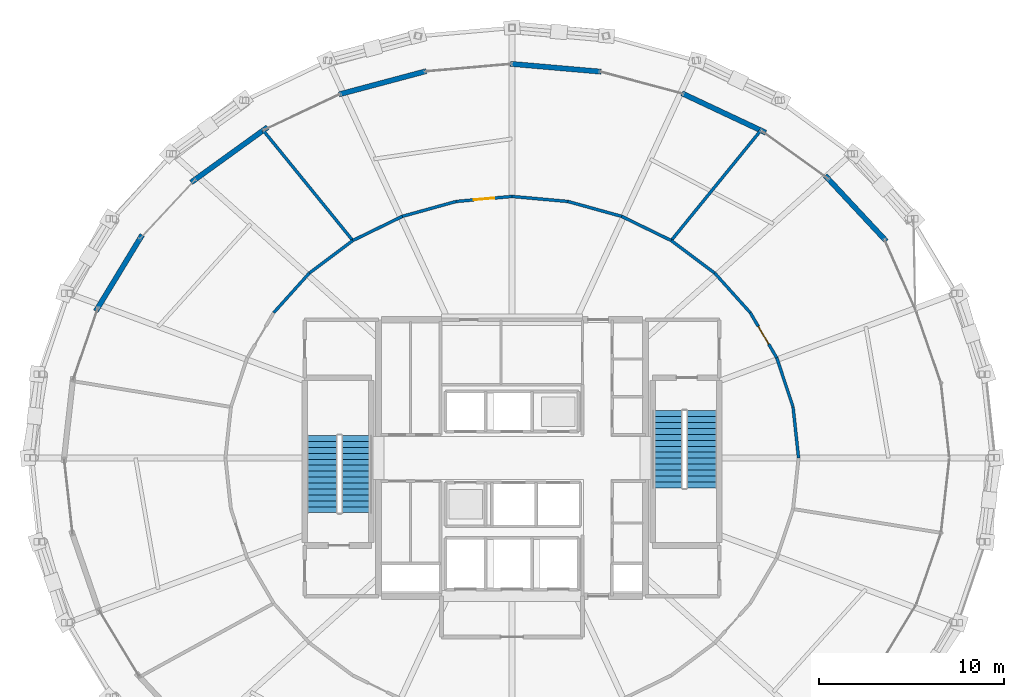
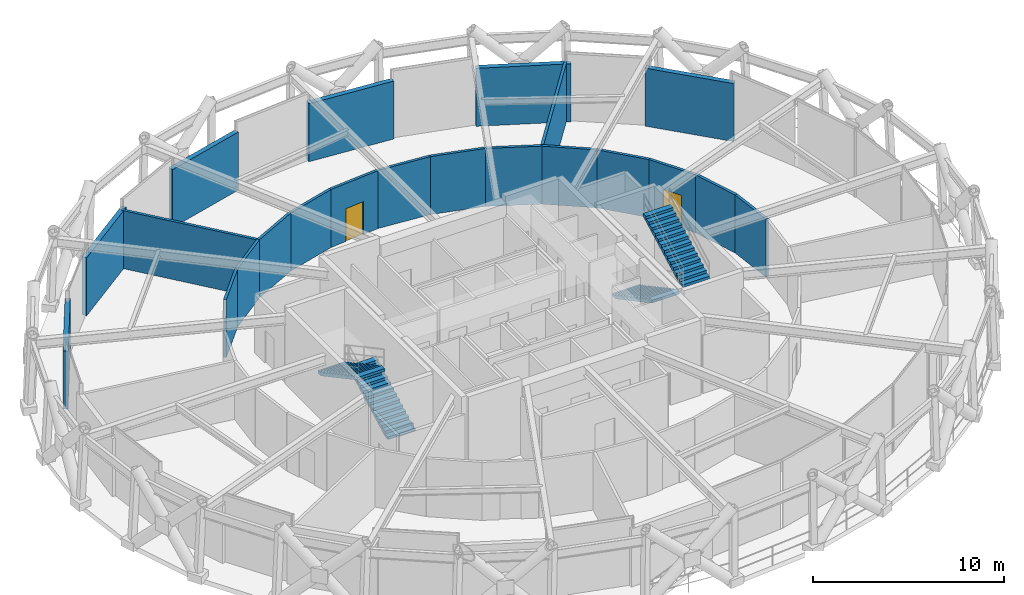
# One storey, part 27 of 29: 21 walls, 4 stair flights, 2 doors, 2 openings, 2 elements without a shape of their own.
"""IFC4 building model written with IfcOpenShell, lengths in metres."""

from ifc_helpers import new_model, si_unit, direction, frame, frame_2d, origin, place, context, subcontext, project, spatial, polyline, rectangle, outline, extrude, material, layer, layer_set, type_object, element, fill, aggregate, save


model = new_model("IFC4")

# Units and contexts
model_context = context("Model", 3, precision=1e-05, world=origin(), true_north=direction((0.0, 1.0)))
body_context = subcontext(model_context, "Body", "Model", "MODEL_VIEW")
ifc_project = project(units=[si_unit("LENGTHUNIT", "METRE"), si_unit("AREAUNIT", "SQUARE_METRE"), si_unit("VOLUMEUNIT", "CUBIC_METRE"), si_unit("PLANEANGLEUNIT", "RADIAN"), si_unit("MASSUNIT", "GRAM", prefix="KILO")], contexts=[model_context])

# Site, building, storey
site_placement = place(None, origin())
site = spatial("IfcSite", under=ifc_project, at=site_placement, CompositionType="ELEMENT")
building_placement = place(site_placement, origin())
building = spatial("IfcBuilding", under=site, at=building_placement, Name="Veldorina Hangang Commons", CompositionType="ELEMENT")
storey_placement = place(building_placement, frame((0.0, 0.0, 203.60009765625)))
storey = spatial("IfcBuildingStorey", under=building, at=storey_placement, Name="L53", CompositionType="ELEMENT", Elevation=203.60009765625)

# Walls
ifc_material_1 = material(Name="Stone Roman Travertine", Category="masonry")
ifc_layer_1 = layer(ifc_material_1, 0.280029296875)
ifc_layer_set_1 = layer_set([ifc_layer_1], Name="Stone Roman Travertine")
wall_type_1 = type_object("IfcWallType", Name="EW-TRAV-280", PredefinedType="STANDARD", material=ifc_layer_set_1)
wall_1_placement = place(storey_placement, frame((52.18603515625, 35.684814453125, 0.0), z_axis=(0.0, 0.0, 1.0), x_axis=(-0.682124199055, 0.731236334617, 0.0)))
element("IfcWall", 1, at=wall_1_placement, inside=storey, type_object=wall_type_1, Name="L53 travertine facade wall 03", PredefinedType="STANDARD", context=body_context, shape_type="SweptSolid", body=[
    extrude(rectangle(XDim=4.841796875, YDim=0.280029296875, at=frame_2d((2.4208984375, 0.0))), origin(), (0.0, 0.0, 1.0), 3.7099609375),
])
wall_2_placement = place(storey_placement, frame((45.68017578125, 41.5380859375, 0.0), z_axis=(0.0, 0.0, 1.0), x_axis=(-0.904923833453, 0.425573560796, 0.0)))
element("IfcWall", 2, at=wall_2_placement, inside=storey, type_object=wall_type_1, Name="L53 travertine facade wall 05", PredefinedType="STANDARD", context=body_context, shape_type="SweptSolid", body=[
    extrude(rectangle(XDim=4.99853515625, YDim=0.280029296875, at=frame_2d((2.499267578125, 0.0))), origin(), (0.0, 0.0, 1.0), 3.7099609375),
])
wall_3_placement = place(storey_placement, frame((36.802490234375, 44.826904296875, 0.0), z_axis=(0.0, 0.0, 1.0), x_axis=(-0.996267207451, 0.086322948039, 0.0)))
element("IfcWall", 3, at=wall_3_placement, inside=storey, type_object=wall_type_1, Name="L53 travertine facade wall 07", PredefinedType="STANDARD", context=body_context, shape_type="SweptSolid", body=[
    extrude(rectangle(XDim=4.91259765625, YDim=0.280029296875, at=frame_2d((2.456298828125, 0.0))), origin(), (0.0, 0.0, 1.0), 3.7099609375),
])
wall_4_placement = place(storey_placement, frame((27.378173828125, 44.8583984375, 0.0), z_axis=(0.0, 0.0, 1.0), x_axis=(-0.966192508796, -0.257821713488, 0.0)))
element("IfcWall", 4, at=wall_4_placement, inside=storey, type_object=wall_type_1, Name="L53 travertine facade wall 09", PredefinedType="STANDARD", context=body_context, shape_type="SweptSolid", body=[
    extrude(rectangle(XDim=4.8720703125, YDim=0.280029296875, at=frame_2d((2.43603515625, 0.0))), origin(), (0.0, 0.0, 1.0), 3.7099609375),
])
wall_5_placement = place(storey_placement, frame((18.82275390625, 41.83447265625, 0.0), z_axis=(0.0, 0.0, 1.0), x_axis=(-0.810767835241, -0.585367847886, 0.0)))
element("IfcWall", 5, at=wall_5_placement, inside=storey, type_object=wall_type_1, Name="L53 travertine facade wall 11", PredefinedType="STANDARD", context=body_context, shape_type="SweptSolid", body=[
    extrude(rectangle(XDim=5.08544921875, YDim=0.280029296875, at=frame_2d((2.542724609375, 0.0))), origin(), (0.0, 0.0, 1.0), 3.7099609375),
])
wall_6_placement = place(storey_placement, frame((12.061279296875, 36.02880859375, 0.0), z_axis=(0.0, 0.0, 1.0), x_axis=(-0.519273052392, -0.854608388129, 0.0)))
element("IfcWall", 6, at=wall_6_placement, inside=storey, type_object=wall_type_1, Name="L53 travertine facade wall 13", PredefinedType="STANDARD", context=body_context, shape_type="SweptSolid", body=[
    extrude(rectangle(XDim=4.81689453125, YDim=0.280029296875, at=frame_2d((2.408447265625, 0.0))), origin(), (0.0, 0.0, 1.0), 3.7099609375),
])
ifc_material_2 = material(Name="Gypsum Fire-Rated Twin Stud Wall", Category="gypsum")
ifc_layer_2 = layer(ifc_material_2, 0.159912109375)
ifc_layer_set_2 = layer_set([ifc_layer_2], Name="Gypsum Fire-Rated Twin Stud Wall")
wall_type_2 = type_object("IfcWallType", Name="WL-FIRE-160", PredefinedType="SOLIDWALL", material=ifc_layer_set_2)
wall_7_placement = place(storey_placement, frame((47.449951171875, 24.0, 0.0), z_axis=(0.0, 0.0, 1.0), x_axis=(-0.107302680622, 0.994226400138, 0.0)))
element("IfcWall", 7, at=wall_7_placement, inside=storey, type_object=wall_type_2, Name="L53 Sky gallery wall 00 053", PredefinedType="SOLIDWALL", context=body_context, shape_type="SweptSolid", body=[
    extrude(rectangle(XDim=2.7666015625, YDim=0.159912109375, at=frame_2d((1.38330078125, 0.0))), origin(), (0.0, 0.0, 1.0), 3.7099609375),
])
wall_8_placement = place(storey_placement, frame((47.153076171875, 26.750732421875, 0.0), z_axis=(0.0, 0.0, 1.0), x_axis=(-0.315413058649, 0.948954478589, 0.0)))
element("IfcWall", 8, at=wall_8_placement, inside=storey, type_object=wall_type_2, Name="L53 Sky gallery wall 01 054", PredefinedType="SOLIDWALL", context=body_context, shape_type="SweptSolid", body=[
    extrude(rectangle(XDim=2.787353515625, YDim=0.159912109375, at=frame_2d((1.3935546875, 0.0))), origin(), (0.0, 0.0, 1.0), 3.7099609375),
])

# Wall, opening, door
wall_9_placement = place(storey_placement, frame((46.27392578125, 29.395751953125, 0.0), z_axis=(0.0, 0.0, 1.0), x_axis=(-0.505380130961, 0.862896820732, 0.0)))
wall_9 = element("IfcWall", 9, at=wall_9_placement, inside=storey, type_object=wall_type_2, Name="L53 Sky gallery wall 02 055", PredefinedType="SOLIDWALL", context=body_context, shape_type="SweptSolid", body=[
    extrude(rectangle(XDim=2.824951171875, YDim=0.159912109375, at=frame_2d((1.41259765625, 0.0))), origin(), (0.0, 0.0, 1.0), 3.7099609375),
])
opening_1_placement = place(wall_9_placement, frame((0.862548828125, 0.0, 0.0)))
opening_1 = element("IfcOpeningElement", 10, at=opening_1_placement, cuts=wall_9, Name="Opening D-08", PredefinedType="OPENING", context=body_context, shape_type="SweptSolid", body=[
    extrude(rectangle(XDim=1.10009765625, YDim=2.10009765625, at=frame_2d((0.550048828125, 1.050048828125))), frame((0.0, 0.08984375, 0.0), z_axis=(0.0, -1.0, 0.0), x_axis=(1.0, 0.0, 0.0)), (0.0, 0.0, 1.0), 0.179931640625),
])
ifc_material_3 = material(Name="Steel Fire-Rated Smoke Seal", Category="steel")
door_type = type_object("IfcDoorType", Name="DR-FIRE-1100", OperationType="SINGLE_SWING_RIGHT", PredefinedType="DOOR", material=ifc_material_3)
door_1_placement = place(opening_1_placement, origin())
door_1 = element("IfcDoor", 11, at=door_1_placement, inside=storey, type_object=door_type, Name="L53 Sky Conservatory Dining Lounge entrance door 027", OperationType="SINGLE_SWING_LEFT", OverallHeight=2.10009765625, OverallWidth=1.10009765625, PredefinedType="DOOR", context=body_context, shape_type="SweptSolid", body=[
    extrude(rectangle(XDim=1.10009765625, YDim=2.10009765625, at=frame_2d((0.550048828125, 1.050048828125))), frame((0.0, 0.02490234375, 0.0), z_axis=(0.0, -1.0, 0.0), x_axis=(1.0, 0.0, 0.0)), (0.0, 0.0, 1.0), 0.050048828125),
])
fill(opening_1, door_1)

# Walls
wall_10_placement = place(storey_placement, frame((44.84619140625, 31.83349609375, 0.0), z_axis=(0.0, 0.0, 1.0), x_axis=(-0.668645478294, 0.743581350194, 0.0)))
element("IfcWall", 12, at=wall_10_placement, inside=storey, type_object=wall_type_2, Name="L53 Sky gallery wall 03 056", PredefinedType="SOLIDWALL", context=body_context, shape_type="SweptSolid", body=[
    extrude(rectangle(XDim=2.87353515625, YDim=0.159912109375, at=frame_2d((1.436767578125, 0.0))), origin(), (0.0, 0.0, 1.0), 3.7099609375),
])
wall_11_placement = place(storey_placement, frame((42.9248046875, 33.97021484375, 0.0), z_axis=(0.0, 0.0, 1.0), x_axis=(-0.800420462314, 0.599438973966, 0.0)))
element("IfcWall", 13, at=wall_11_placement, inside=storey, type_object=wall_type_2, Name="L53 Sky gallery wall 04 057", PredefinedType="SOLIDWALL", context=body_context, shape_type="SweptSolid", body=[
    extrude(rectangle(XDim=2.925048828125, YDim=0.159912109375, at=frame_2d((1.46240234375, 0.0))), origin(), (0.0, 0.0, 1.0), 3.7099609375),
])
wall_12_placement = place(storey_placement, frame((40.58349609375, 35.7236328125, 0.0), z_axis=(0.0, 0.0, 1.0), x_axis=(-0.898755022802, 0.438451147778, 0.0)))
element("IfcWall", 14, at=wall_12_placement, inside=storey, type_object=wall_type_2, Name="L53 Sky gallery wall 05 058", PredefinedType="SOLIDWALL", context=body_context, shape_type="SweptSolid", body=[
    extrude(rectangle(XDim=2.9716796875, YDim=0.159912109375, at=frame_2d((1.48583984375, 0.0))), origin(), (0.0, 0.0, 1.0), 3.7099609375),
])
wall_13_placement = place(storey_placement, frame((37.91259765625, 37.026611328125, 0.0), z_axis=(0.0, 0.0, 1.0), x_axis=(-0.963743190464, 0.26683152519, 0.0)))
element("IfcWall", 15, at=wall_13_placement, inside=storey, type_object=wall_type_2, Name="L53 Sky gallery wall 06 059", PredefinedType="SOLIDWALL", context=body_context, shape_type="SweptSolid", body=[
    extrude(rectangle(XDim=3.007568359375, YDim=0.159912109375, at=frame_2d((1.50390625, 0.0))), origin(), (0.0, 0.0, 1.0), 3.7099609375),
])
wall_14_placement = place(storey_placement, frame((35.01416015625, 37.8291015625, 0.0), z_axis=(0.0, 0.0, 1.0), x_axis=(-0.995982645158, 0.089546471418, 0.0)))
element("IfcWall", 16, at=wall_14_placement, inside=storey, type_object=wall_type_2, Name="L53 Sky gallery wall 07 060", PredefinedType="SOLIDWALL", context=body_context, shape_type="SweptSolid", body=[
    extrude(rectangle(XDim=3.0263671875, YDim=0.159912109375, at=frame_2d((1.51318359375, 0.0))), origin(), (0.0, 0.0, 1.0), 3.7099609375),
])

# Wall, opening, door
wall_15_placement = place(storey_placement, frame((32.0, 38.10009765625, 0.0), z_axis=(0.0, 0.0, 1.0), x_axis=(-0.995982645158, -0.089546471418, 0.0)))
wall_15 = element("IfcWall", 17, at=wall_15_placement, inside=storey, type_object=wall_type_2, Name="L53 Sky gallery wall 08 061", PredefinedType="SOLIDWALL", context=body_context, shape_type="SweptSolid", body=[
    extrude(rectangle(XDim=3.0263671875, YDim=0.159912109375, at=frame_2d((1.51318359375, 0.0))), origin(), (0.0, 0.0, 1.0), 3.7099609375),
])
opening_2_placement = place(wall_15_placement, frame((0.963134765625, 0.0, 0.0)))
opening_2 = element("IfcOpeningElement", 18, at=opening_2_placement, cuts=wall_15, Name="Opening D-08", PredefinedType="OPENING", context=body_context, shape_type="SweptSolid", body=[
    extrude(rectangle(XDim=1.10009765625, YDim=2.10009765625, at=frame_2d((0.550048828125, 1.050048828125))), frame((0.0, 0.08984375, 0.0), z_axis=(0.0, -1.0, 0.0), x_axis=(1.0, 0.0, 0.0)), (0.0, 0.0, 1.0), 0.179931640625),
])
door_2_placement = place(opening_2_placement, origin())
door_2 = element("IfcDoor", 19, at=door_2_placement, inside=storey, type_object=door_type, Name="L53 Quiet Academic Study Hall entrance door 028", OperationType="SINGLE_SWING_RIGHT", OverallHeight=2.10009765625, OverallWidth=1.10009765625, PredefinedType="DOOR", context=body_context, shape_type="SweptSolid", body=[
    extrude(rectangle(XDim=1.10009765625, YDim=2.10009765625, at=frame_2d((0.550048828125, 1.050048828125))), frame((0.0, 0.02490234375, 0.0), z_axis=(0.0, -1.0, 0.0), x_axis=(1.0, 0.0, 0.0)), (0.0, 0.0, 1.0), 0.050048828125),
])
fill(opening_2, door_2)

# Walls
wall_16_placement = place(storey_placement, frame((28.98583984375, 37.8291015625, 0.0), z_axis=(0.0, 0.0, 1.0), x_axis=(-0.963743190464, -0.26683152519, 0.0)))
element("IfcWall", 20, at=wall_16_placement, inside=storey, type_object=wall_type_2, Name="L53 Sky gallery wall 09 062", PredefinedType="SOLIDWALL", context=body_context, shape_type="SweptSolid", body=[
    extrude(rectangle(XDim=3.007568359375, YDim=0.159912109375, at=frame_2d((1.50390625, 0.0))), origin(), (0.0, 0.0, 1.0), 3.7099609375),
])
wall_17_placement = place(storey_placement, frame((26.08740234375, 37.026611328125, 0.0), z_axis=(0.0, 0.0, 1.0), x_axis=(-0.898755022802, -0.438451147778, 0.0)))
element("IfcWall", 21, at=wall_17_placement, inside=storey, type_object=wall_type_2, Name="L53 Sky gallery wall 10 063", PredefinedType="SOLIDWALL", context=body_context, shape_type="SweptSolid", body=[
    extrude(rectangle(XDim=2.9716796875, YDim=0.159912109375, at=frame_2d((1.48583984375, 0.0))), origin(), (0.0, 0.0, 1.0), 3.7099609375),
])
wall_18_placement = place(storey_placement, frame((23.41650390625, 35.7236328125, 0.0), z_axis=(0.0, 0.0, 1.0), x_axis=(-0.800420462314, -0.599438973966, 0.0)))
element("IfcWall", 22, at=wall_18_placement, inside=storey, type_object=wall_type_2, Name="L53 Sky gallery wall 11 064", PredefinedType="SOLIDWALL", context=body_context, shape_type="SweptSolid", body=[
    extrude(rectangle(XDim=2.925048828125, YDim=0.159912109375, at=frame_2d((1.46240234375, 0.0))), origin(), (0.0, 0.0, 1.0), 3.7099609375),
])
wall_19_placement = place(storey_placement, frame((21.0751953125, 33.97021484375, 0.0), z_axis=(0.0, 0.0, 1.0), x_axis=(-0.668645478294, -0.743581350194, 0.0)))
element("IfcWall", 23, at=wall_19_placement, inside=storey, type_object=wall_type_2, Name="L53 Sky gallery wall 12 065", PredefinedType="SOLIDWALL", context=body_context, shape_type="SweptSolid", body=[
    extrude(rectangle(XDim=2.87353515625, YDim=0.159912109375, at=frame_2d((1.436767578125, 0.0))), origin(), (0.0, 0.0, 1.0), 3.7099609375),
])
for number, where, z_axis, x_axis, name in (
    (24, (40.58349609375, 35.7236328125, 0.0), (0.0, 0.0, 1.0), (0.631040308845, 0.775750042613, 0.0), "L53 Sky lobby radial wall 3 087"),
    (25, (23.41650390625, 35.7236328125, 0.0), (0.0, 0.0, 1.0), (-0.631040308845, 0.775750042613, 0.0), "L53 Sky lobby radial wall 4 088"),
):
    element("IfcWall", number, at=place(storey_placement, frame(where, z_axis=z_axis, x_axis=x_axis)), inside=storey, type_object=wall_type_2, Name=name, PredefinedType="SOLIDWALL", context=body_context, shape_type="SweptSolid", body=[
        extrude(rectangle(XDim=7.656005859375, YDim=0.159912109375, at=frame_2d((3.828125, 0.0))), origin(), (0.0, 0.0, 1.0), 3.7099609375),
    ])

# Stair, stair flights
ifc_material_4 = material(Name="Concrete C40/50", Category="concrete")
stair_type = type_object("IfcStairType", Name="STR-DOG-1650-28R", PredefinedType="HALF_TURN_STAIR", material=ifc_material_4)
stair_1_placement = place(storey_placement, origin())
stair_1 = element("IfcStair", 26, at=stair_1_placement, inside=storey, type_object=stair_type, Name="L53 Exit stair ST-1", PredefinedType="HALF_TURN_STAIR")
stair_flight_type = type_object("IfcStairFlightType", Name="SFL-STR-1650-28R", PredefinedType="STRAIGHT", material=ifc_material_4)
stair_flight_1_placement = place(storey_placement, frame((23.625, 21.050048828125, 0.0), z_axis=(0.0, 0.0, 1.0), x_axis=(0.0, 1.0, 0.0)))
stair_flight_1 = element("IfcStairFlight", 27, at=stair_flight_1_placement, type_object=stair_flight_type, Name="ST-1 flight 1", NumberOfRisers=14, NumberOfTreads=13, PredefinedType="STRAIGHT", RiserHeight=0.171428571, TreadLength=0.32, context=body_context, shape_type="SweptSolid", body=[
    extrude(outline(polyline([(0.0, 0.0), (0.0, 0.17138671875), (0.320068359375, 0.17138671875), (0.320068359375, 0.3427734375), (0.639892578125, 0.3427734375), (0.639892578125, 0.514404296875), (0.9599609375, 0.514404296875), (0.9599609375, 0.685791015625), (1.280029296875, 0.685791015625), (1.280029296875, 0.857177734375), (1.60009765625, 0.857177734375), (1.60009765625, 1.028564453125), (1.919921875, 1.028564453125), (1.919921875, 1.199951171875), (2.239990234375, 1.199951171875), (2.239990234375, 1.371337890625), (2.56005859375, 1.371337890625), (2.56005859375, 1.54296875), (2.8798828125, 1.54296875), (2.8798828125, 1.71435546875), (3.199951171875, 1.71435546875), (3.199951171875, 1.8857421875), (3.52001953125, 1.8857421875), (3.52001953125, 2.05712890625), (3.840087890625, 2.05712890625), (3.840087890625, 2.228515625), (4.159912109375, 2.228515625), (4.159912109375, 2.39990234375), (4.159912109375, 2.05859375), (0.3173828125, 0.0), (0.0, 0.0)])), frame((0.0, 0.824951171875, 0.0), z_axis=(0.0, -1.0, 0.0), x_axis=(1.0, 0.0, 0.0)), (0.0, 0.0, 1.0), 1.64990234375),
])
stair_flight_2_placement = place(storey_placement, frame((21.77490234375, 25.2099609375, 2.39990234375), z_axis=(0.0, 0.0, 1.0), x_axis=(0.0, -1.0, 0.0)))
stair_flight_2 = element("IfcStairFlight", 28, at=stair_flight_2_placement, type_object=stair_flight_type, Name="ST-1 flight 2", NumberOfRisers=14, NumberOfTreads=13, PredefinedType="STRAIGHT", RiserHeight=0.171428571, TreadLength=0.32, context=body_context, shape_type="SweptSolid", body=[
    extrude(outline(polyline([(0.0, 0.0), (0.0, 0.17138671875), (0.320068359375, 0.17138671875), (0.320068359375, 0.3427734375), (0.639892578125, 0.3427734375), (0.639892578125, 0.514404296875), (0.9599609375, 0.514404296875), (0.9599609375, 0.685791015625), (1.280029296875, 0.685791015625), (1.280029296875, 0.857177734375), (1.60009765625, 0.857177734375), (1.60009765625, 1.028564453125), (1.919921875, 1.028564453125), (1.919921875, 1.199951171875), (2.239990234375, 1.199951171875), (2.239990234375, 1.371337890625), (2.56005859375, 1.371337890625), (2.56005859375, 1.54296875), (2.8798828125, 1.54296875), (2.8798828125, 1.71435546875), (3.199951171875, 1.71435546875), (3.199951171875, 1.8857421875), (3.52001953125, 1.8857421875), (3.52001953125, 2.05712890625), (3.840087890625, 2.05712890625), (3.840087890625, 2.228515625), (4.159912109375, 2.228515625), (4.159912109375, 2.39990234375), (4.159912109375, 2.05859375), (0.3173828125, 0.0), (0.0, 0.0)])), frame((0.0, 0.824951171875, 0.0), z_axis=(0.0, -1.0, 0.0), x_axis=(1.0, 0.0, 0.0)), (0.0, 0.0, 1.0), 1.64990234375),
])
aggregate(stair_1, [stair_flight_1, stair_flight_2])

stair_2_placement = place(storey_placement, origin())
stair_2 = element("IfcStair", 29, at=stair_2_placement, inside=storey, type_object=stair_type, Name="L53 Exit stair ST-2", PredefinedType="HALF_TURN_STAIR")
stair_flight_3_placement = place(storey_placement, frame((40.375, 26.550048828125, 0.0), z_axis=(0.0, 0.0, 1.0), x_axis=(0.0, -1.0, 0.0)))
stair_flight_3 = element("IfcStairFlight", 30, at=stair_flight_3_placement, type_object=stair_flight_type, Name="ST-2 flight 1", NumberOfRisers=14, NumberOfTreads=13, PredefinedType="STRAIGHT", RiserHeight=0.171428571, TreadLength=0.32, context=body_context, shape_type="SweptSolid", body=[
    extrude(outline(polyline([(0.0, 0.0), (0.0, 0.17138671875), (0.320068359375, 0.17138671875), (0.320068359375, 0.3427734375), (0.639892578125, 0.3427734375), (0.639892578125, 0.514404296875), (0.9599609375, 0.514404296875), (0.9599609375, 0.685791015625), (1.280029296875, 0.685791015625), (1.280029296875, 0.857177734375), (1.60009765625, 0.857177734375), (1.60009765625, 1.028564453125), (1.919921875, 1.028564453125), (1.919921875, 1.199951171875), (2.239990234375, 1.199951171875), (2.239990234375, 1.371337890625), (2.56005859375, 1.371337890625), (2.56005859375, 1.54296875), (2.8798828125, 1.54296875), (2.8798828125, 1.71435546875), (3.199951171875, 1.71435546875), (3.199951171875, 1.8857421875), (3.52001953125, 1.8857421875), (3.52001953125, 2.05712890625), (3.840087890625, 2.05712890625), (3.840087890625, 2.228515625), (4.159912109375, 2.228515625), (4.159912109375, 2.39990234375), (4.159912109375, 2.05859375), (0.3173828125, 0.0), (0.0, 0.0)])), frame((0.0, 0.824951171875, 0.0), z_axis=(0.0, -1.0, 0.0), x_axis=(1.0, 0.0, 0.0)), (0.0, 0.0, 1.0), 1.64990234375),
])
stair_flight_4_placement = place(storey_placement, frame((42.22509765625, 22.389892578125, 2.39990234375), z_axis=(0.0, 0.0, 1.0), x_axis=(0.0, 1.0, 0.0)))
stair_flight_4 = element("IfcStairFlight", 31, at=stair_flight_4_placement, type_object=stair_flight_type, Name="ST-2 flight 2", NumberOfRisers=14, NumberOfTreads=13, PredefinedType="STRAIGHT", RiserHeight=0.171428571, TreadLength=0.32, context=body_context, shape_type="SweptSolid", body=[
    extrude(outline(polyline([(0.0, 0.0), (0.0, 0.17138671875), (0.320068359375, 0.17138671875), (0.320068359375, 0.3427734375), (0.639892578125, 0.3427734375), (0.639892578125, 0.514404296875), (0.9599609375, 0.514404296875), (0.9599609375, 0.685791015625), (1.280029296875, 0.685791015625), (1.280029296875, 0.857177734375), (1.60009765625, 0.857177734375), (1.60009765625, 1.028564453125), (1.919921875, 1.028564453125), (1.919921875, 1.199951171875), (2.239990234375, 1.199951171875), (2.239990234375, 1.371337890625), (2.56005859375, 1.371337890625), (2.56005859375, 1.54296875), (2.8798828125, 1.54296875), (2.8798828125, 1.71435546875), (3.199951171875, 1.71435546875), (3.199951171875, 1.8857421875), (3.52001953125, 1.8857421875), (3.52001953125, 2.05712890625), (3.840087890625, 2.05712890625), (3.840087890625, 2.228515625), (4.159912109375, 2.228515625), (4.159912109375, 2.39990234375), (4.159912109375, 2.05859375), (0.3173828125, 0.0), (0.0, 0.0)])), frame((0.0, 0.824951171875, 0.0), z_axis=(0.0, -1.0, 0.0), x_axis=(1.0, 0.0, 0.0)), (0.0, 0.0, 1.0), 1.64990234375),
])
aggregate(stair_2, [stair_flight_3, stair_flight_4])

save(model, "model.ifc")
